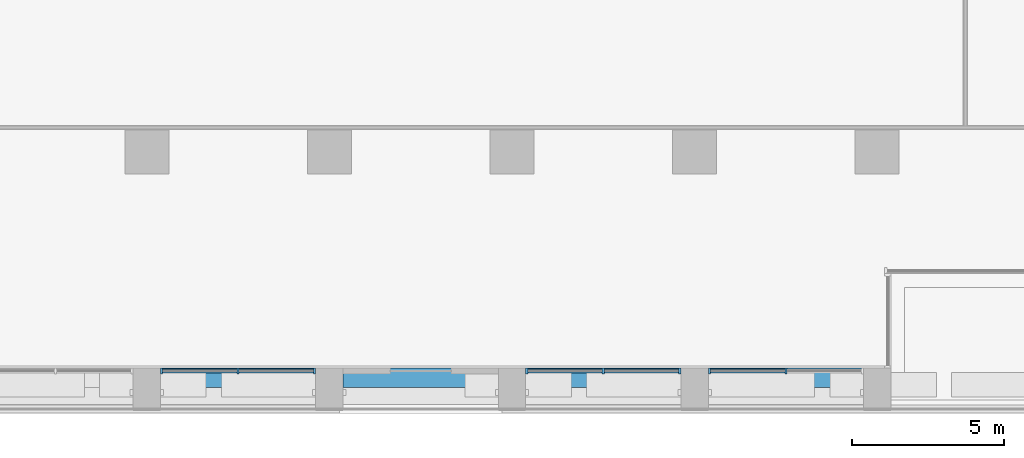
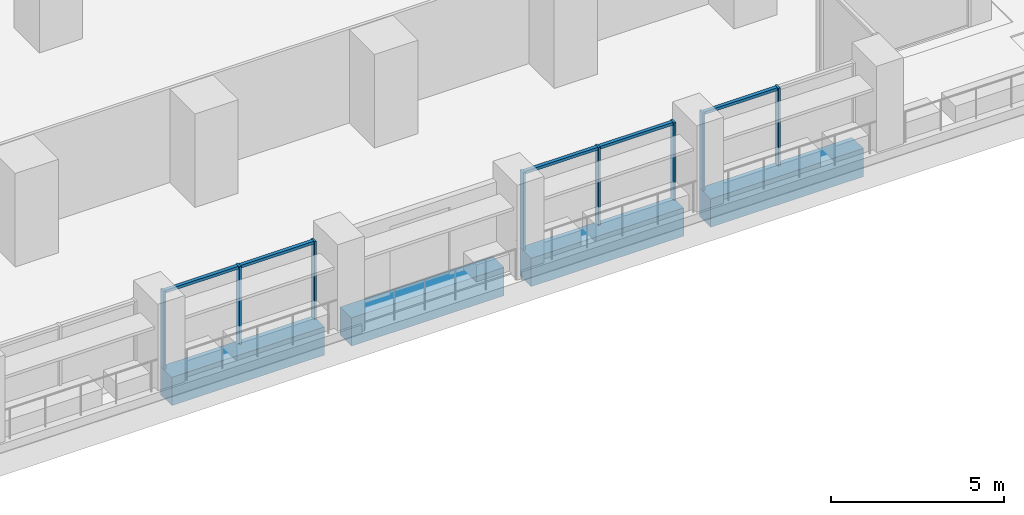
# One storey, part 3 of 18: 13 members, 4 beams, 3 elements without a shape of their own.
"""IFC4 building model written with IfcOpenShell, lengths in metres."""

from ifc_helpers import new_model, si_unit, direction, frame, origin, origin_2d, place, context, subcontext, project, spatial, rectangle, extrude, material, material_profile, profile_set, type_object, element, aggregate, save


model = new_model("IFC4")

# Units and contexts
model_context = context("Model", 3, precision=1e-05, world=origin(), true_north=direction((0.0, 1.0)))
body_context = subcontext(model_context, "Body", "Model", "MODEL_VIEW")
ifc_project = project(units=[si_unit("LENGTHUNIT", "METRE"), si_unit("AREAUNIT", "SQUARE_METRE"), si_unit("VOLUMEUNIT", "CUBIC_METRE"), si_unit("PLANEANGLEUNIT", "RADIAN"), si_unit("MASSUNIT", "GRAM", prefix="KILO")], contexts=[model_context])

# Site, building, storey
site_placement = place(None, origin())
site = spatial("IfcSite", under=ifc_project, at=site_placement, CompositionType="ELEMENT")
building_placement = place(site_placement, origin())
building = spatial("IfcBuilding", under=site, at=building_placement, Name="Calvaro Tower", CompositionType="ELEMENT")
storey_placement = place(building_placement, frame((0.0, 0.0, 95.0)))
storey = spatial("IfcBuildingStorey", under=building, at=storey_placement, Name="L23", CompositionType="ELEMENT", Elevation=95.0)

# Curtain wall, members
ifc_material_1 = material(Name="Anodised aluminium", Category="aluminium")
curtain_wall_type = type_object("IfcCurtainWallType", Name="Office curtain wall, middle zone", PredefinedType="NOTDEFINED", material=ifc_material_1)
curtain_wall_1_placement = place(storey_placement, origin())
curtain_wall_1 = element("IfcCurtainWall", 1, at=curtain_wall_1_placement, inside=storey, type_object=curtain_wall_type, Name="CW2 south curtain wall", PredefinedType="NOTDEFINED")
ifc_material_2 = material(Name="Anodised aluminium", Category="aluminium")
ifc_material_profile_1 = material_profile(ifc_material_2, rectangle(XDim=0.199951171875, YDim=0.070068359375, at=origin_2d()), Name="Mullion S2 70 x 200")
ifc_profile_set_1 = profile_set([ifc_material_profile_1], Name="Anodised aluminium")
member_type_1 = type_object("IfcMemberType", Name="Mullion S2 70 x 200", PredefinedType="MULLION", material=ifc_profile_set_1)
member_1_placement = place(storey_placement, frame((42.485107421875, 2.800048828125, 0.0), z_axis=(0.0, 0.0, 1.0), x_axis=(0.0, 1.0, 0.0)))
member_1 = element("IfcMember", 2, at=member_1_placement, type_object=member_type_1, Name="CW2 mullion 1", PredefinedType="MULLION", context=body_context, shape_type="SweptSolid", body=[
    extrude(rectangle(XDim=0.199951171875, YDim=0.070068359375, at=origin_2d()), origin(), (0.0, 0.0, 1.0), 2.75),
])
member_2_placement = place(storey_placement, frame((45.0, 2.800048828125, 0.0), z_axis=(0.0, 0.0, 1.0), x_axis=(0.0, 1.0, 0.0)))
member_2 = element("IfcMember", 3, at=member_2_placement, type_object=member_type_1, Name="CW2 mullion 2", PredefinedType="MULLION", context=body_context, shape_type="SweptSolid", body=[
    extrude(rectangle(XDim=0.199951171875, YDim=0.070068359375, at=origin_2d()), origin(), (0.0, 0.0, 1.0), 2.75),
])
member_3_placement = place(storey_placement, frame((47.514892578125, 2.800048828125, 0.0), z_axis=(0.0, 0.0, 1.0), x_axis=(0.0, 1.0, 0.0)))
member_3 = element("IfcMember", 4, at=member_3_placement, type_object=member_type_1, Name="CW2 mullion 3", PredefinedType="MULLION", context=body_context, shape_type="SweptSolid", body=[
    extrude(rectangle(XDim=0.199951171875, YDim=0.070068359375, at=origin_2d()), origin(), (0.0, 0.0, 1.0), 2.75),
])

curtain_wall_2_placement = place(storey_placement, origin())
curtain_wall_2 = element("IfcCurtainWall", 5, at=curtain_wall_2_placement, inside=storey, type_object=curtain_wall_type, Name="CW2 south curtain wall", PredefinedType="NOTDEFINED")
member_4_placement = place(storey_placement, frame((54.485107421875, 2.800048828125, 0.0), z_axis=(0.0, 0.0, 1.0), x_axis=(0.0, 1.0, 0.0)))
member_4 = element("IfcMember", 6, at=member_4_placement, type_object=member_type_1, Name="CW2 mullion 1", PredefinedType="MULLION", context=body_context, shape_type="SweptSolid", body=[
    extrude(rectangle(XDim=0.199951171875, YDim=0.070068359375, at=origin_2d()), origin(), (0.0, 0.0, 1.0), 2.75),
])
member_5_placement = place(storey_placement, frame((57.0, 2.800048828125, 0.0), z_axis=(0.0, 0.0, 1.0), x_axis=(0.0, 1.0, 0.0)))
member_5 = element("IfcMember", 7, at=member_5_placement, type_object=member_type_1, Name="CW2 mullion 2", PredefinedType="MULLION", context=body_context, shape_type="SweptSolid", body=[
    extrude(rectangle(XDim=0.199951171875, YDim=0.070068359375, at=origin_2d()), origin(), (0.0, 0.0, 1.0), 2.75),
])
member_6_placement = place(storey_placement, frame((59.514892578125, 2.800048828125, 0.0), z_axis=(0.0, 0.0, 1.0), x_axis=(0.0, 1.0, 0.0)))
member_6 = element("IfcMember", 8, at=member_6_placement, type_object=member_type_1, Name="CW2 mullion 3", PredefinedType="MULLION", context=body_context, shape_type="SweptSolid", body=[
    extrude(rectangle(XDim=0.199951171875, YDim=0.070068359375, at=origin_2d()), origin(), (0.0, 0.0, 1.0), 2.75),
])

curtain_wall_3_placement = place(storey_placement, origin())
curtain_wall_3 = element("IfcCurtainWall", 9, at=curtain_wall_3_placement, inside=storey, type_object=curtain_wall_type, Name="CW2 south curtain wall", PredefinedType="NOTDEFINED")
member_7_placement = place(storey_placement, frame((60.485107421875, 2.800048828125, 0.0), z_axis=(0.0, 0.0, 1.0), x_axis=(0.0, 1.0, 0.0)))
member_7 = element("IfcMember", 10, at=member_7_placement, type_object=member_type_1, Name="CW2 mullion 1", PredefinedType="MULLION", context=body_context, shape_type="SweptSolid", body=[
    extrude(rectangle(XDim=0.199951171875, YDim=0.070068359375, at=origin_2d()), origin(), (0.0, 0.0, 1.0), 2.75),
])
member_8_placement = place(storey_placement, frame((63.0, 2.800048828125, 0.0), z_axis=(0.0, 0.0, 1.0), x_axis=(0.0, 1.0, 0.0)))
member_8 = element("IfcMember", 11, at=member_8_placement, type_object=member_type_1, Name="CW2 mullion 2", PredefinedType="MULLION", context=body_context, shape_type="SweptSolid", body=[
    extrude(rectangle(XDim=0.199951171875, YDim=0.070068359375, at=origin_2d()), origin(), (0.0, 0.0, 1.0), 2.75),
])

# Beams
ifc_material_3 = material(Name="Concrete C50/60 precast", Category="concrete")
ifc_material_profile_2 = material_profile(ifc_material_3, rectangle(XDim=0.64990234375, YDim=1.0, at=origin_2d()), Name="RC 650x1000")
ifc_profile_set_2 = profile_set([ifc_material_profile_2], Name="Concrete C50/60 precast")
beam_type = type_object("IfcBeamType", Name="Spandrel beam 650x1000 C50/60", PredefinedType="SPANDREL", material=ifc_profile_set_2)
for number, where, z_axis, x_axis, name in (
    (12, (42.449951171875, 2.574951171875, -0.5), (1.0, 0.0, 0.0), (0.0, 1.0, 0.0), "Spandrel beam"),
    (13, (48.449951171875, 2.574951171875, -0.5), (1.0, 0.0, 0.0), (0.0, 1.0, 0.0), "Spandrel beam"),
    (14, (54.449951171875, 2.574951171875, -0.5), (1.0, 0.0, 0.0), (0.0, 1.0, 0.0), "Spandrel beam"),
    (15, (60.449951171875, 2.574951171875, -0.5), (1.0, 0.0, 0.0), (0.0, 1.0, 0.0), "Spandrel beam"),
):
    element("IfcBeam", number, at=place(storey_placement, frame(where, z_axis=z_axis, x_axis=x_axis)), inside=storey, type_object=beam_type, Name=name, PredefinedType="SPANDREL", context=body_context, shape_type="SweptSolid", body=[
        extrude(rectangle(XDim=0.64990234375, YDim=1.0, at=origin_2d()), origin(), (0.0, 0.0, 1.0), 5.10009765625),
    ])

# Member
ifc_material_4 = material(Name="Anodised aluminium", Category="aluminium")
ifc_material_profile_3 = material_profile(ifc_material_4, rectangle(XDim=0.1201171875, YDim=0.10009765625, at=origin_2d()), Name="Transom S2 100 x 120")
ifc_profile_set_3 = profile_set([ifc_material_profile_3], Name="Anodised aluminium")
member_type_2 = type_object("IfcMemberType", Name="Transom S2 100 x 120", PredefinedType="USERDEFINED", material=ifc_profile_set_3)
member_9_placement = place(storey_placement, frame((42.52001953125, 2.800048828125, 2.699951171875), z_axis=(1.0, 0.0, 0.0), x_axis=(0.0, 1.0, 0.0)))
member_9 = element("IfcMember", 16, at=member_9_placement, type_object=member_type_2, Name="CW2 transom 1.1", ObjectType="TRANSOM", PredefinedType="USERDEFINED", context=body_context, shape_type="SweptSolid", body=[
    extrude(rectangle(XDim=0.1201171875, YDim=0.10009765625, at=origin_2d()), origin(), (0.0, 0.0, 1.0), 2.445068359375),
])

member_10_placement = place(storey_placement, frame((45.034912109375, 2.800048828125, 2.699951171875), z_axis=(1.0, 0.0, 0.0), x_axis=(0.0, 1.0, 0.0)))
member_10 = element("IfcMember", 17, at=member_10_placement, type_object=member_type_2, Name="CW2 transom 2.1", ObjectType="TRANSOM", PredefinedType="USERDEFINED", context=body_context, shape_type="SweptSolid", body=[
    extrude(rectangle(XDim=0.1201171875, YDim=0.10009765625, at=origin_2d()), origin(), (0.0, 0.0, 1.0), 2.445068359375),
])

aggregate(curtain_wall_1, [member_1, member_2, member_3, member_9, member_10])

member_11_placement = place(storey_placement, frame((54.52001953125, 2.800048828125, 2.699951171875), z_axis=(1.0, 0.0, 0.0), x_axis=(0.0, 1.0, 0.0)))
member_11 = element("IfcMember", 18, at=member_11_placement, type_object=member_type_2, Name="CW2 transom 1.1", ObjectType="TRANSOM", PredefinedType="USERDEFINED", context=body_context, shape_type="SweptSolid", body=[
    extrude(rectangle(XDim=0.1201171875, YDim=0.10009765625, at=origin_2d()), origin(), (0.0, 0.0, 1.0), 2.445068359375),
])

member_12_placement = place(storey_placement, frame((57.034912109375, 2.800048828125, 2.699951171875), z_axis=(1.0, 0.0, 0.0), x_axis=(0.0, 1.0, 0.0)))
member_12 = element("IfcMember", 19, at=member_12_placement, type_object=member_type_2, Name="CW2 transom 2.1", ObjectType="TRANSOM", PredefinedType="USERDEFINED", context=body_context, shape_type="SweptSolid", body=[
    extrude(rectangle(XDim=0.1201171875, YDim=0.10009765625, at=origin_2d()), origin(), (0.0, 0.0, 1.0), 2.445068359375),
])

aggregate(curtain_wall_2, [member_4, member_5, member_6, member_11, member_12])

member_13_placement = place(storey_placement, frame((60.52001953125, 2.800048828125, 2.699951171875), z_axis=(1.0, 0.0, 0.0), x_axis=(0.0, 1.0, 0.0)))
member_13 = element("IfcMember", 20, at=member_13_placement, type_object=member_type_2, Name="CW2 transom 1.1", ObjectType="TRANSOM", PredefinedType="USERDEFINED", context=body_context, shape_type="SweptSolid", body=[
    extrude(rectangle(XDim=0.1201171875, YDim=0.10009765625, at=origin_2d()), origin(), (0.0, 0.0, 1.0), 2.445068359375),
])

aggregate(curtain_wall_3, [member_7, member_8, member_13])

save(model, "model.ifc")
